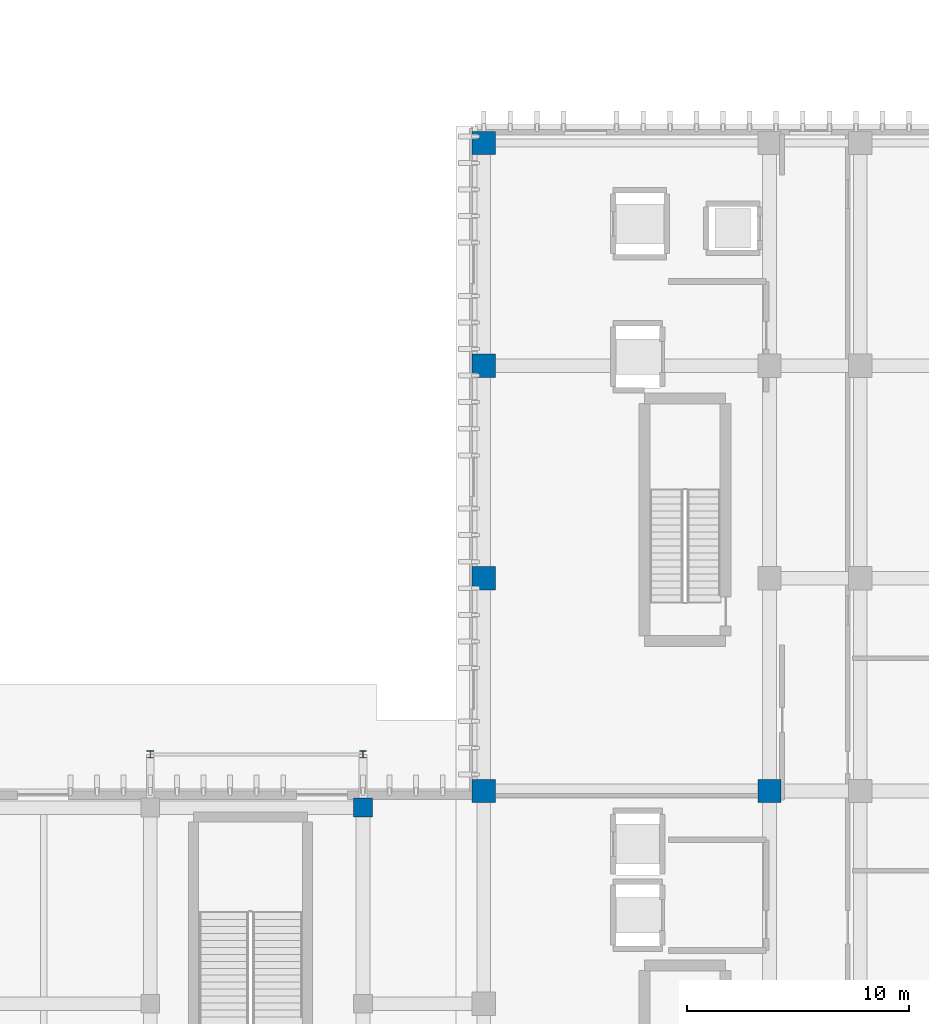
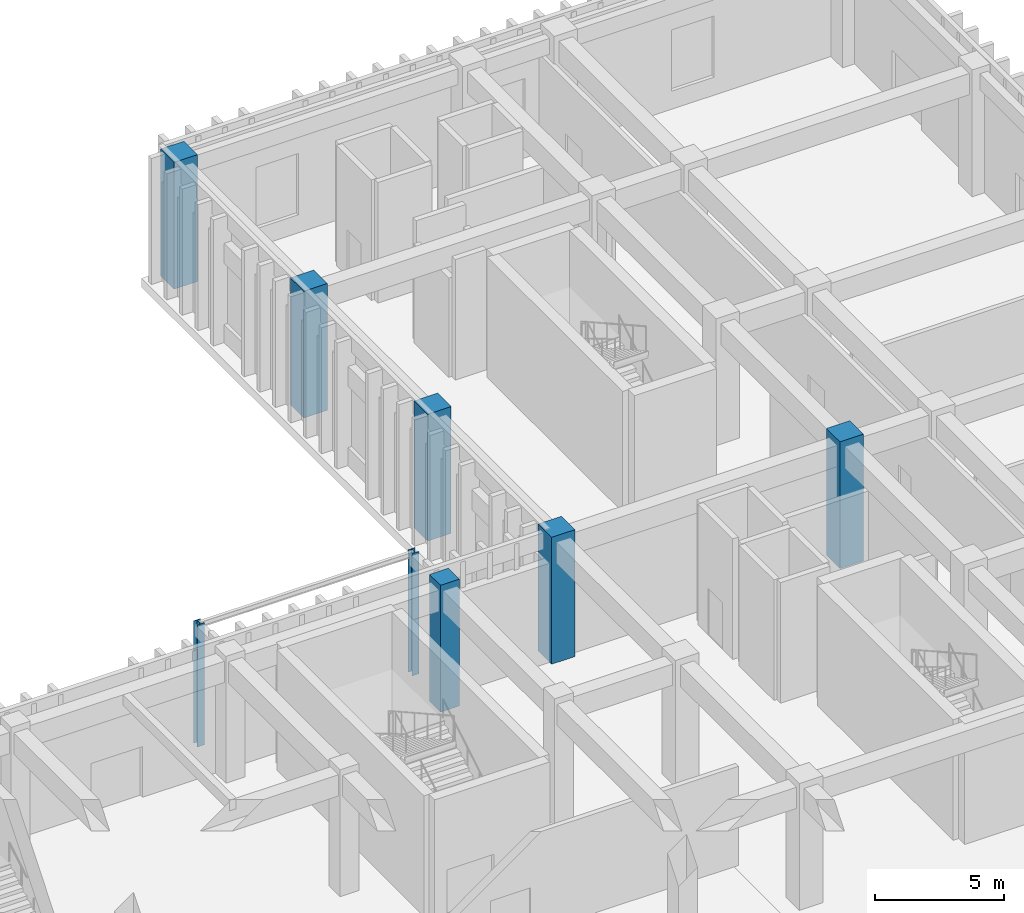
# One storey, part 13 of 87: 8 columns.
"""IFC4 building model written with IfcOpenShell, lengths in metres."""

import ifcopenshell
import ifcopenshell.guid

model = None  # the IFC model being written
_history = None  # IfcOwnerHistory: only IFC2X3 demands one
_inside = {}  # id of a spatial element -> (the spatial element, [elements in it])
_under = {}  # id of a project, library or spatial element -> (it, [spatial elements below it])
_declared = {}  # id of a project -> (the project, [libraries it declares])
_typed = {}  # id of a type object -> (the type object, [elements of that type])
_made_of = {}  # id of a material, layer set ... -> (it, [elements and type objects made of it])


def new_model(schema):
    """Start an empty IFC model of exactly this schema.

    Asked for "IFC4X3", IfcOpenShell would pick the latest addendum, in which some entities
    have other attributes; the version numbers below select the first issue.
    IFC2X3 requires an IfcOwnerHistory on every rooted entity: one is made here for all.
    """
    global model, _history
    if schema == "IFC4X3":
        model = ifcopenshell.file(schema_version=(4, 3, 0, 0))
    else:
        model = ifcopenshell.file(schema=schema)
    _inside.clear()
    _under.clear()
    _declared.clear()
    _typed.clear()
    _made_of.clear()
    _history = None
    if model.schema == "IFC2X3":
        org = make("IfcOrganization", Name="unknown")
        user = make(
            "IfcPersonAndOrganization",
            ThePerson=make("IfcPerson", FamilyName="unknown"),
            TheOrganization=org,
        )
        app = make(
            "IfcApplication",
            ApplicationDeveloper=org,
            Version="unknown",
            ApplicationFullName="unknown",
            ApplicationIdentifier="unknown",
        )
        _history = make(
            "IfcOwnerHistory",
            OwningUser=user,
            OwningApplication=app,
            ChangeAction="ADDED",
            CreationDate=0,
        )
    return model


def make(cls, **values):
    """One entity of the class cls with the attributes given. An attribute that is None is left unset."""
    return model.create_entity(
        cls, **{name: value for name, value in values.items() if value is not None}
    )


def rooted(cls, **values):
    """An entity with a GlobalId (a new one), such as an element, a storey or a relation."""
    return make(cls, GlobalId=ifcopenshell.guid.new(), OwnerHistory=_history, **values)


def si_unit(unit_type, name, prefix=None):
    """IfcSIUnit, for example si_unit("LENGTHUNIT", "METRE", prefix="MILLI")."""
    return make("IfcSIUnit", UnitType=unit_type, Prefix=prefix, Name=name)


def assignment(units):
    """IfcUnitAssignment: the units of a project."""
    return None if units is None else make("IfcUnitAssignment", Units=units)


def point(xyz):
    """IfcCartesianPoint."""
    return None if xyz is None else make("IfcCartesianPoint", Coordinates=xyz)


def direction(xyz):
    """IfcDirection."""
    return None if xyz is None else make("IfcDirection", DirectionRatios=xyz)


def frame(location, z_axis=None, x_axis=None):
    """IfcAxis2Placement3D, a coordinate frame: its origin and axes. An axis left out is left unset."""
    return make(
        "IfcAxis2Placement3D",
        Location=point(location),
        Axis=direction(z_axis),
        RefDirection=direction(x_axis),
    )


def frame_2d(location, x_axis=None):
    """IfcAxis2Placement2D, a coordinate frame in the plane: its origin and x axis."""
    return make(
        "IfcAxis2Placement2D", Location=point(location), RefDirection=direction(x_axis)
    )


def origin():
    """The frame at (0, 0, 0) with its axes left unset."""
    return frame((0.0, 0.0, 0.0))


def origin_2d():
    """The frame at (0, 0) in the plane with its x axis left unset."""
    return frame_2d((0.0, 0.0))


def place(relative_to, where):
    """IfcLocalPlacement: puts the frame where relative to a parent placement (None: the world)."""
    return make(
        "IfcLocalPlacement", PlacementRelTo=relative_to, RelativePlacement=where
    )


def context(
    kind, dimensions, precision=None, world=None, true_north=None, identifier=None
):
    """IfcGeometricRepresentationContext, for example the 3D "Model" context."""
    return make(
        "IfcGeometricRepresentationContext",
        ContextIdentifier=identifier,
        ContextType=kind,
        CoordinateSpaceDimension=dimensions,
        Precision=precision,
        WorldCoordinateSystem=world,
        TrueNorth=true_north,
    )


def subcontext(parent, identifier, kind, view, scale=None):
    """IfcGeometricRepresentationSubContext, for example "Body" below "Model"."""
    return make(
        "IfcGeometricRepresentationSubContext",
        ContextIdentifier=identifier,
        ContextType=kind,
        ParentContext=parent,
        TargetScale=scale,
        TargetView=view,
    )


def project(units=None, contexts=None):
    """IfcProject with its units and contexts."""
    return rooted(
        "IfcProject",
        Name="project",
        RepresentationContexts=contexts,
        UnitsInContext=assignment(units),
    )


def spatial(cls, under=None, at=None, **own):
    """A site, building, storey or space (cls), placed at a placement, below another one or the project."""
    s = rooted(cls, ObjectPlacement=at, **own)
    if under is not None:
        _under.setdefault(under.id(), (under, []))[1].append(s)
    return s


def profile(cls, at=None, kind="AREA", **sizes):
    """A parametric profile (cls). Its sizes go by their IFC names, for example OverallWidth=200.0."""
    return make(cls, ProfileType=kind, Position=at, **sizes)


def rectangle(**sizes):
    """IfcRectangleProfileDef."""
    return profile("IfcRectangleProfileDef", **sizes)


def i_section(**sizes):
    """IfcIShapeProfileDef."""
    return profile("IfcIShapeProfileDef", **sizes)


def extrude(swept, where, along, depth):
    """IfcExtrudedAreaSolid: the profile swept, set in the frame where, extruded along a direction by depth."""
    return make(
        "IfcExtrudedAreaSolid",
        SweptArea=swept,
        Position=where,
        ExtrudedDirection=direction(along),
        Depth=depth,
    )


def shape(context_of_items, identifier, shape_type, items):
    """IfcShapeRepresentation: the items that make up one representation, for example the "Body"."""
    return make(
        "IfcShapeRepresentation",
        ContextOfItems=context_of_items,
        RepresentationIdentifier=identifier,
        RepresentationType=shape_type,
        Items=items,
    )


def material(Name=None, Category=None):
    """IfcMaterial."""
    return make("IfcMaterial", Name=Name, Category=Category)


def material_profile(
    of_material, cross_section, Name=None, Category=None, Priority=None
):
    """IfcMaterialProfile: a cross section and its material."""
    return make(
        "IfcMaterialProfile",
        Name=Name,
        Material=of_material,
        Profile=cross_section,
        Priority=Priority,
        Category=Category,
    )


def profile_set(profiles, Name=None, composite=None):
    """IfcMaterialProfileSet."""
    return make(
        "IfcMaterialProfileSet",
        Name=Name,
        MaterialProfiles=profiles,
        CompositeProfile=composite,
    )


def made_of(thing, what):
    """Note that an element or type object is made of a material, layer set ...; save() writes the relation."""
    if what is not None:
        _made_of.setdefault(what.id(), (what, []))[1].append(thing)
    return thing


def type_object(cls, material=None, **own):
    """A type object (cls), such as IfcWallType, which elements share."""
    return made_of(rooted(cls, **own), material)


def element(
    cls,
    number,
    at=None,
    inside=None,
    cuts=None,
    type_object=None,
    material=None,
    context=None,
    identifier="Body",
    shape_type=None,
    held_by="IfcProductDefinitionShape",
    body=None,
    shapes=None,
    **own,
):
    """One element of the class cls, such as IfcWall. Its Tag is "e" and its number.

    at: its placement. inside: the storey or other place that contains it. cuts: it is an
    opening in that element (IfcRelVoidsElement). A single representation is given by context,
    identifier, shape_type and body (its items); several are given by shapes. held_by: the class
    of the entity that holds the representations. save() writes the other relations.
    """
    e = rooted(cls, Tag="e%d" % number, ObjectPlacement=at, **own)
    if body is not None:
        shapes = [shape(context, identifier, shape_type, body)]
    if shapes is not None:
        e.Representation = make(held_by, Representations=shapes)
    if inside is not None:
        _inside.setdefault(inside.id(), (inside, []))[1].append(e)
    if cuts is not None:
        rooted(
            "IfcRelVoidsElement", RelatingBuildingElement=cuts, RelatedOpeningElement=e
        )
    if type_object is not None:
        _typed.setdefault(type_object.id(), (type_object, []))[1].append(e)
    return made_of(e, material)


def aggregate(whole, parts):
    """IfcRelAggregates: a whole, such as a stair, and the parts it consists of."""
    return rooted("IfcRelAggregates", RelatingObject=whole, RelatedObjects=parts)


def save(model, path):
    """Write the relations noted so far, then the file.

    IfcRelAggregates (storeys below a building ...), IfcRelContainedInSpatialStructure (elements
    in a storey), IfcRelDefinesByType, IfcRelAssociatesMaterial and IfcRelDeclares: one each for
    every whole, place, type object, material and project.
    """
    for whole, parts in _under.values():
        aggregate(whole, parts)
    for where, things in _inside.values():
        rooted(
            "IfcRelContainedInSpatialStructure",
            RelatedElements=things,
            RelatingStructure=where,
        )
    for kind, things in _typed.values():
        rooted("IfcRelDefinesByType", RelatedObjects=things, RelatingType=kind)
    for what, things in _made_of.values():
        rooted("IfcRelAssociatesMaterial", RelatedObjects=things, RelatingMaterial=what)
    for by, libraries in _declared.values():
        rooted("IfcRelDeclares", RelatingContext=by, RelatedDefinitions=libraries)
    model.write(path)


model = new_model("IFC4")

# Units and contexts
model_context = context("Model", 3, precision=1e-05, world=origin(), true_north=direction((0.0, 1.0)))
body_context = subcontext(model_context, "Body", "Model", "MODEL_VIEW")
ifc_project = project(units=[si_unit("LENGTHUNIT", "METRE"), si_unit("AREAUNIT", "SQUARE_METRE"), si_unit("VOLUMEUNIT", "CUBIC_METRE"), si_unit("PLANEANGLEUNIT", "RADIAN"), si_unit("MASSUNIT", "GRAM", prefix="KILO")], contexts=[model_context])

# Site, building, storey
site_placement = place(None, origin())
site = spatial("IfcSite", under=ifc_project, at=site_placement, CompositionType="ELEMENT")
building_placement = place(site_placement, origin())
building = spatial("IfcBuilding", under=site, at=building_placement, Name="Nakhvara Creek Congress Hotel", CompositionType="ELEMENT")
storey_placement = place(building_placement, origin())
storey = spatial("IfcBuildingStorey", under=building, at=storey_placement, Name="L00", CompositionType="ELEMENT", Elevation=0.0)

# Columns
ifc_material_1 = material(Name="Concrete C50/60", Category="concrete")
ifc_material_profile_1 = material_profile(ifc_material_1, rectangle(XDim=1.050048828125, YDim=1.050048828125, at=origin_2d()), Name="RC-COL 1050x1050", Category="LoadBearing")
ifc_profile_set_1 = profile_set([ifc_material_profile_1], Name="Concrete C50/60")
column_type_1 = type_object("IfcColumnType", Name="COL-RC-1050", PredefinedType="COLUMN", material=ifc_profile_set_1)
for number, where, z_axis, x_axis, name in (
    (1, (149.449951171875, 96.0, 0.0), (0.0, 0.0, 1.0), (1.0, 0.0, 0.0), "Column C16-L00-0766"),
    (2, (149.449951171875, 105.60009765625, 0.0), (0.0, 0.0, 1.0), (1.0, 0.0, 0.0), "Column C16-L00-0767"),
    (3, (149.449951171875, 115.199951171875, 0.0), (0.0, 0.0, 1.0), (1.0, 0.0, 0.0), "Column C16-L00-0768"),
    (4, (149.449951171875, 125.25, 0.0), (0.0, 0.0, 1.0), (1.0, 0.0, 0.0), "Column C16-L00-0769"),
    (5, (162.35009765625, 96.0, 0.0), (0.0, 0.0, 1.0), (1.0, 0.0, 0.0), "Column C16-L00-0780"),
):
    element("IfcColumn", number, at=place(storey_placement, frame(where, z_axis=z_axis, x_axis=x_axis)), inside=storey, type_object=column_type_1, Name=name, PredefinedType="COLUMN", context=body_context, shape_type="SweptSolid", body=[
        extrude(rectangle(XDim=1.050048828125, YDim=1.050048828125, at=origin_2d()), origin(), (0.0, 0.0, 1.0), 6.0),
    ])
ifc_material_profile_2 = material_profile(ifc_material_1, rectangle(XDim=0.85009765625, YDim=0.85009765625, at=origin_2d()), Name="RC-COL 850x850", Category="LoadBearing")
ifc_profile_set_2 = profile_set([ifc_material_profile_2], Name="Concrete C50/60")
column_type_2 = type_object("IfcColumnType", Name="COL-RC-850", PredefinedType="COLUMN", material=ifc_profile_set_2)
column_placement = place(storey_placement, frame((144.0, 95.25, 0.0), z_axis=(0.0, 0.0, 1.0), x_axis=(1.0, 0.0, 0.0)))
element("IfcColumn", 6, at=column_placement, inside=storey, type_object=column_type_2, Name="Column C18-L00-0739", PredefinedType="COLUMN", context=body_context, shape_type="SweptSolid", body=[
    extrude(rectangle(XDim=0.85009765625, YDim=0.85009765625, at=origin_2d()), origin(), (0.0, 0.0, 1.0), 6.0),
])
ifc_material_2 = material(Name="Steel S355J2", Category="steel")
ifc_material_profile_3 = material_profile(ifc_material_2, i_section(OverallWidth=0.307373046875, OverallDepth=0.314453125, WebThickness=0.011962890625, FlangeThickness=0.018798828125, FilletRadius=0.01513671875, at=origin_2d()), Name="UC 305x305x118", Category="LoadBearing")
ifc_profile_set_3 = profile_set([ifc_material_profile_3], Name="Steel S355J2")
column_type_3 = type_object("IfcColumnType", Name="COL-ST-UC305", PredefinedType="COLUMN", material=ifc_profile_set_3)
for number, where, z_axis, x_axis, name in (
    (7, (134.39990234375, 97.64990234375, 0.0), (0.0, 0.0, 1.0), (1.0, 0.0, 0.0), "Column CS2-L00-0744"),
    (8, (144.0, 97.64990234375, 0.0), (0.0, 0.0, 1.0), (1.0, 0.0, 0.0), "Column CS2-L00-0745"),
):
    element("IfcColumn", number, at=place(storey_placement, frame(where, z_axis=z_axis, x_axis=x_axis)), inside=storey, type_object=column_type_3, Name=name, PredefinedType="COLUMN", context=body_context, shape_type="SweptSolid", body=[
        extrude(i_section(OverallWidth=0.307373046875, OverallDepth=0.314453125, WebThickness=0.011962890625, FlangeThickness=0.018798828125, FilletRadius=0.01513671875, at=origin_2d()), origin(), (0.0, 0.0, 1.0), 5.780029296875),
    ])

save(model, "model.ifc")
